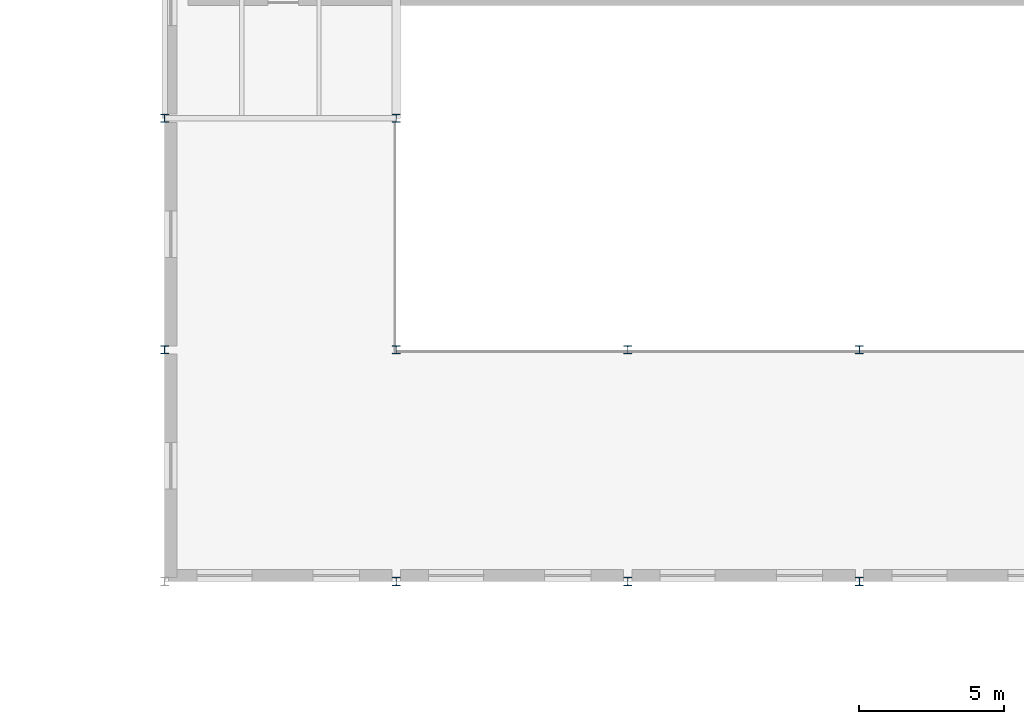
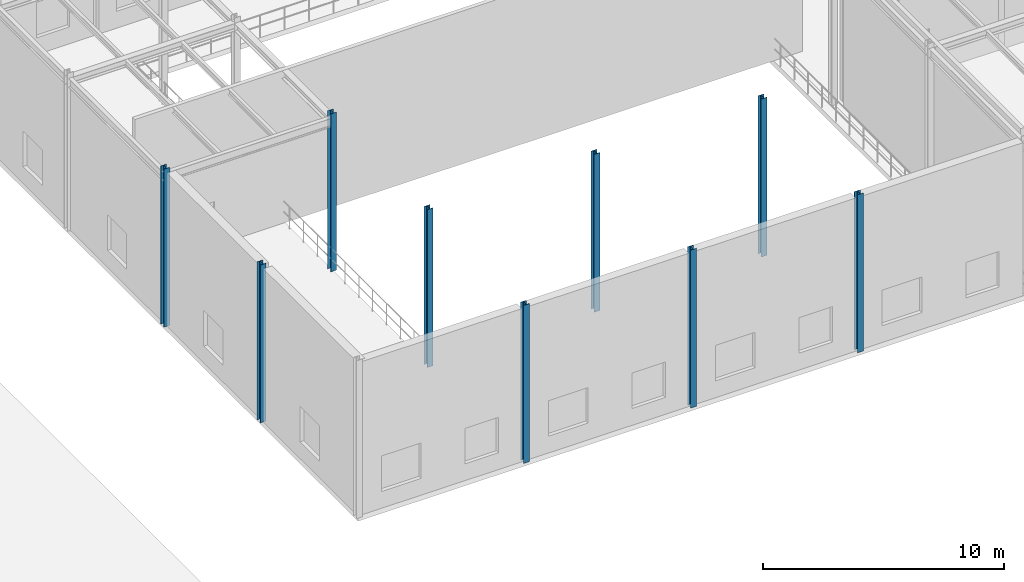
# One storey, part 12 of 138: 9 columns.
"""IFC4 building model written with IfcOpenShell, lengths in metres."""

from ifc_helpers import new_model, si_unit, direction, frame, origin, origin_2d, place, context, subcontext, project, spatial, i_section, extrude, material, material_profile, profile_set, type_object, element, save


model = new_model("IFC4")

# Units and contexts
model_context = context("Model", 3, precision=1e-05, world=origin(), true_north=direction((0.0, 1.0)))
body_context = subcontext(model_context, "Body", "Model", "MODEL_VIEW")
ifc_project = project(units=[si_unit("LENGTHUNIT", "METRE"), si_unit("AREAUNIT", "SQUARE_METRE"), si_unit("VOLUMEUNIT", "CUBIC_METRE"), si_unit("PLANEANGLEUNIT", "RADIAN"), si_unit("MASSUNIT", "GRAM", prefix="KILO")], contexts=[model_context])

# Site, building, storey
site_placement = place(None, origin())
site = spatial("IfcSite", under=ifc_project, at=site_placement, CompositionType="ELEMENT")
building_placement = place(site_placement, origin())
building = spatial("IfcBuilding", under=site, at=building_placement, Name="Sundkrona Museum", CompositionType="ELEMENT")
storey_placement = place(building_placement, frame((0.0, 0.0, 9.60009765625)))
storey = spatial("IfcBuildingStorey", under=building, at=storey_placement, Name="L02", CompositionType="ELEMENT", Elevation=9.60009765625)

# Columns
ifc_material = material(Name="Steel S355J2", Category="steel")
ifc_material_profile = material_profile(ifc_material, i_section(OverallWidth=0.280029296875, OverallDepth=0.280029296875, WebThickness=0.010498046875, FlangeThickness=0.01806640625, FilletRadius=0.02392578125, at=origin_2d()), Name="HEB 280")
ifc_profile_set = profile_set([ifc_material_profile], Name="Steel S355J2")
column_type = type_object("IfcColumnType", Name="C-HEB280", PredefinedType="COLUMN", material=ifc_profile_set)
for number, where, z_axis, x_axis, name in (
    (1, (104.0, 86.0, 0.0), (0.0, 0.0, 1.0), (1.0, 0.0, 0.0), "L02 Column M/14"),
    (2, (104.0, 94.0, 0.0), (0.0, 0.0, 1.0), (1.0, 0.0, 0.0), "L02 Column N/14"),
    (3, (112.0, 78.0, 0.0), (0.0, 0.0, 1.0), (1.0, 0.0, 0.0), "L02 Column L/15"),
    (4, (112.0, 86.0, 0.0), (0.0, 0.0, 1.0), (1.0, 0.0, 0.0), "L02 Column M/15"),
    (5, (112.0, 94.0, 0.0), (0.0, 0.0, 1.0), (1.0, 0.0, 0.0), "L02 Column N/15"),
    (6, (120.0, 78.0, 0.0), (0.0, 0.0, 1.0), (1.0, 0.0, 0.0), "L02 Column L/16"),
    (7, (120.0, 86.0, 0.0), (0.0, 0.0, 1.0), (1.0, 0.0, 0.0), "L02 Column M/16"),
    (8, (128.0, 78.0, 0.0), (0.0, 0.0, 1.0), (1.0, 0.0, 0.0), "L02 Column L/17"),
    (9, (128.0, 86.0, 0.0), (0.0, 0.0, 1.0), (1.0, 0.0, 0.0), "L02 Column M/17"),
):
    element("IfcColumn", number, at=place(storey_placement, frame(where, z_axis=z_axis, x_axis=x_axis)), inside=storey, type_object=column_type, Name=name, PredefinedType="COLUMN", context=body_context, shape_type="SweptSolid", body=[
        extrude(i_section(OverallWidth=0.280029296875, OverallDepth=0.280029296875, WebThickness=0.010498046875, FlangeThickness=0.01806640625, FilletRadius=0.02392578125, at=origin_2d()), origin(), (0.0, 0.0, 1.0), 8.0),
    ])

save(model, "model.ifc")
